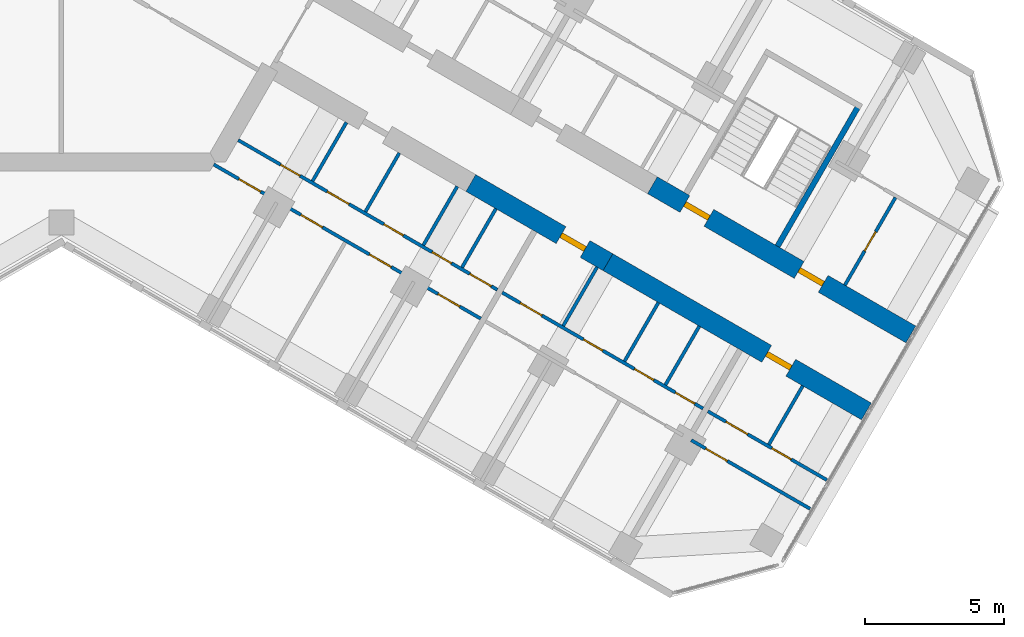
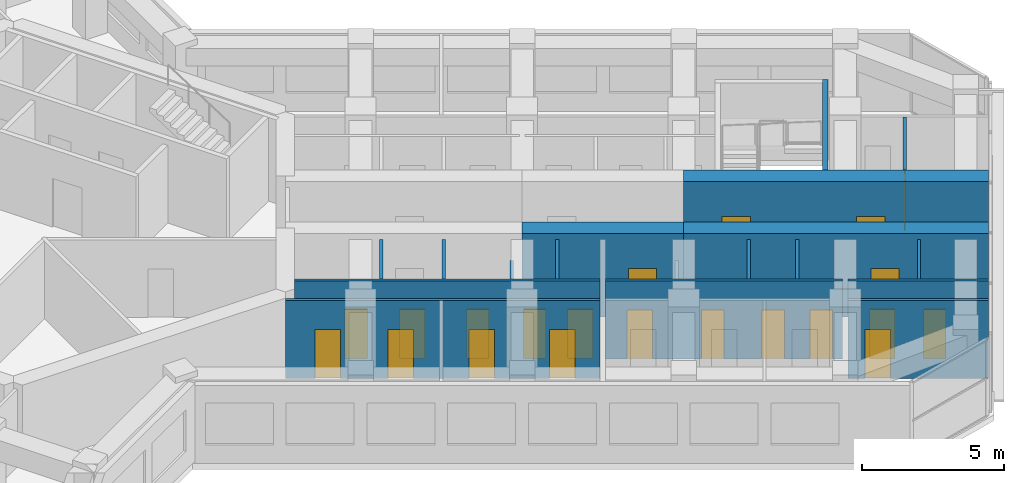
# One storey, part 11 of 16: 21 doors, 18 walls, 21 openings.
"""IFC4 building model written with IfcOpenShell, lengths in metres."""

from ifc_helpers import new_model, si_unit, direction, frame, frame_2d, origin, place, context, subcontext, project, spatial, rectangle, extrude, material, layer, layer_set, type_object, element, fill, save


model = new_model("IFC4")

# Units and contexts
model_context = context("Model", 3, precision=1e-05, world=origin(), true_north=direction((0.0, 1.0)))
body_context = subcontext(model_context, "Body", "Model", "MODEL_VIEW")
ifc_project = project(units=[si_unit("LENGTHUNIT", "METRE"), si_unit("AREAUNIT", "SQUARE_METRE"), si_unit("VOLUMEUNIT", "CUBIC_METRE"), si_unit("PLANEANGLEUNIT", "RADIAN"), si_unit("MASSUNIT", "GRAM", prefix="KILO")], contexts=[model_context])

# Site, building, storey
site_placement = place(None, origin())
site = spatial("IfcSite", under=ifc_project, at=site_placement, CompositionType="ELEMENT")
building_placement = place(site_placement, origin())
building = spatial("IfcBuilding", under=site, at=building_placement, Name="Kosmar Iwan School Tower", CompositionType="ELEMENT")
storey_placement = place(building_placement, frame((0.0, 0.0, 208.199951171875)))
storey = spatial("IfcBuildingStorey", under=building, at=storey_placement, Name="L52", CompositionType="ELEMENT", Elevation=208.199951171875)

# Wall, openings, doors
ifc_material_1 = material(Name="Concrete C50/60", Category="concrete")
ifc_layer_1 = layer(ifc_material_1, 0.699951171875)
ifc_layer_set_1 = layer_set([ifc_layer_1], Name="Corridor buttress wall 700")
wall_type_1 = type_object("IfcWallType", Name="Corridor buttress wall 700", PredefinedType="SHEAR", material=ifc_layer_set_1)
wall_1_placement = place(storey_placement, frame((21.281494140625, -10.439453125, 0.0), z_axis=(0.0, 0.0, 1.0), x_axis=(0.866032345022, -0.499987977232, 0.0)))
wall_1 = element("IfcWall", 1, at=wall_1_placement, inside=storey, type_object=wall_type_1, Name="Corridor wall CL bay 3", PredefinedType="SHEAR", context=body_context, shape_type="SweptSolid", body=[
    extrude(rectangle(XDim=10.744873046875, YDim=0.699951171875, at=frame_2d((5.37255859375, 0.0))), origin(), (0.0, 0.0, 1.0), 3.60009765625),
])
opening_1_placement = place(wall_1_placement, frame((6.10009765625, 0.0, 0.0)))
opening_1 = element("IfcOpeningElement", 2, at=opening_1_placement, cuts=wall_1, Name="Opening D1", PredefinedType="OPENING", context=body_context, shape_type="SweptSolid", body=[
    extrude(rectangle(XDim=1.0, YDim=2.10009765625, at=frame_2d((0.5, 1.050048828125))), frame((0.0, 0.362060546875, 0.0), z_axis=(0.0, -1.0, 0.0), x_axis=(1.0, 0.0, 0.0)), (0.0, 0.0, 1.0), 0.723876953125),
])
opening_2_placement = place(wall_1_placement, frame((1.35009765625, 0.0, 0.0)))
opening_2 = element("IfcOpeningElement", 3, at=opening_2_placement, cuts=wall_1, Name="Opening D6", PredefinedType="OPENING", context=body_context, shape_type="SweptSolid", body=[
    extrude(rectangle(XDim=1.0, YDim=2.10009765625, at=frame_2d((0.5, 1.050048828125))), frame((0.0, 0.362060546875, 0.0), z_axis=(0.0, -1.0, 0.0), x_axis=(1.0, 0.0, 0.0)), (0.0, 0.0, 1.0), 0.723876953125),
])
ifc_material_2 = material(Name="Timber fire door in steel frame", Category="steel")
door_type_1 = type_object("IfcDoorType", Name="Flat entrance door 1000x2100", OperationType="SINGLE_SWING_LEFT", PredefinedType="DOOR", material=ifc_material_2)
door_1_placement = place(opening_1_placement, origin())
door_1 = element("IfcDoor", 4, at=door_1_placement, inside=storey, type_object=door_type_1, Name="Flat L52-CL3 entrance door", OperationType="SINGLE_SWING_RIGHT", OverallHeight=2.10009765625, OverallWidth=1.0, PredefinedType="DOOR", context=body_context, shape_type="SweptSolid", body=[
    extrude(rectangle(XDim=1.0, YDim=2.10009765625, at=frame_2d((0.5, 1.050048828125))), frame((0.0, 0.10009765625, 0.0), z_axis=(0.0, -1.0, 0.0), x_axis=(1.0, 0.0, 0.0)), (0.0, 0.0, 1.0), 0.199951171875),
])
fill(opening_1, door_1)
ifc_material_3 = material(Name="Steel fire door", Category="steel")
door_type_2 = type_object("IfcDoorType", Name="Stair door 1000x2100", OperationType="SINGLE_SWING_LEFT", PredefinedType="DOOR", material=ifc_material_3)
door_2_placement = place(opening_2_placement, origin())
door_2 = element("IfcDoor", 5, at=door_2_placement, inside=storey, type_object=door_type_2, Name="Stair WS3 door L52", OperationType="SINGLE_SWING_LEFT", OverallHeight=2.10009765625, OverallWidth=1.0, PredefinedType="DOOR", context=body_context, shape_type="SweptSolid", body=[
    extrude(rectangle(XDim=1.0, YDim=2.10009765625, at=frame_2d((0.5, 1.050048828125))), frame((0.0, 0.10009765625, 0.0), z_axis=(0.0, -1.0, 0.0), x_axis=(1.0, 0.0, 0.0)), (0.0, 0.0, 1.0), 0.199951171875),
])
fill(opening_2, door_2)

# Wall, opening, door
wall_2_placement = place(storey_placement, frame((14.7451171875, -10.360595703125, 0.0), z_axis=(0.0, 0.0, 1.0), x_axis=(0.866015111908, -0.50001782563, 0.0)))
wall_2 = element("IfcWall", 6, at=wall_2_placement, inside=storey, type_object=wall_type_1, Name="Corridor wall CR bay 2", PredefinedType="SHEAR", context=body_context, shape_type="SweptSolid", body=[
    extrude(rectangle(XDim=5.699951171875, YDim=0.699951171875, at=frame_2d((2.85009765625, 0.0))), origin(), (0.0, 0.0, 1.0), 3.60009765625),
])
opening_3_placement = place(wall_2_placement, frame((3.75, 0.0, 0.0)))
opening_3 = element("IfcOpeningElement", 7, at=opening_3_placement, cuts=wall_2, Name="Opening D1", PredefinedType="OPENING", context=body_context, shape_type="SweptSolid", body=[
    extrude(rectangle(XDim=1.0, YDim=2.10009765625, at=frame_2d((0.5, 1.050048828125))), frame((0.0, 0.362060546875, 0.0), z_axis=(0.0, -1.0, 0.0), x_axis=(1.0, 0.0, 0.0)), (0.0, 0.0, 1.0), 0.723876953125),
])
door_3_placement = place(opening_3_placement, origin())
door_3 = element("IfcDoor", 8, at=door_3_placement, inside=storey, type_object=door_type_1, Name="Flat L52-CR2 entrance door", OperationType="SINGLE_SWING_RIGHT", OverallHeight=2.10009765625, OverallWidth=1.0, PredefinedType="DOOR", context=body_context, shape_type="SweptSolid", body=[
    extrude(rectangle(XDim=1.0, YDim=2.10009765625, at=frame_2d((0.5, 1.050048828125))), frame((0.0, 0.10009765625, 0.0), z_axis=(0.0, -1.0, 0.0), x_axis=(1.0, 0.0, 0.0)), (0.0, 0.0, 1.0), 0.199951171875),
])
fill(opening_3, door_3)

wall_3_placement = place(storey_placement, frame((19.681396484375, -13.210693359375, 0.0), z_axis=(0.0, 0.0, 1.0), x_axis=(0.866028186671, -0.499995179869, 0.0)))
wall_3 = element("IfcWall", 9, at=wall_3_placement, inside=storey, type_object=wall_type_1, Name="Corridor wall CR bay 3", PredefinedType="SHEAR", context=body_context, shape_type="SweptSolid", body=[
    extrude(rectangle(XDim=10.7451171875, YDim=0.699951171875, at=frame_2d((5.37255859375, 0.0))), origin(), (0.0, 0.0, 1.0), 3.60009765625),
])
opening_4_placement = place(wall_3_placement, frame((6.60009765625, 0.0, 0.0)))
opening_4 = element("IfcOpeningElement", 10, at=opening_4_placement, cuts=wall_3, Name="Opening D1", PredefinedType="OPENING", context=body_context, shape_type="SweptSolid", body=[
    extrude(rectangle(XDim=1.0, YDim=2.10009765625, at=frame_2d((0.5, 1.050048828125))), frame((0.0, 0.362060546875, 0.0), z_axis=(0.0, -1.0, 0.0), x_axis=(1.0, 0.0, 0.0)), (0.0, 0.0, 1.0), 0.723876953125),
])
door_4_placement = place(opening_4_placement, origin())
door_4 = element("IfcDoor", 11, at=door_4_placement, inside=storey, type_object=door_type_1, Name="Flat L52-CR3 entrance door", OperationType="SINGLE_SWING_RIGHT", OverallHeight=2.10009765625, OverallWidth=1.0, PredefinedType="DOOR", context=body_context, shape_type="SweptSolid", body=[
    extrude(rectangle(XDim=1.0, YDim=2.10009765625, at=frame_2d((0.5, 1.050048828125))), frame((0.0, 0.10009765625, 0.0), z_axis=(0.0, -1.0, 0.0), x_axis=(1.0, 0.0, 0.0)), (0.0, 0.0, 1.0), 0.199951171875),
])
fill(opening_4, door_4)

ifc_material_4 = material(Name="Gypsum board on steel studs", Category="steel")
ifc_layer_2 = layer(ifc_material_4, 0.1201171875)
ifc_layer_set_2 = layer_set([ifc_layer_2], Name="Dwelling partition 120")
wall_type_2 = type_object("IfcWallType", Name="Dwelling partition 120", PredefinedType="PARTITIONING", material=ifc_layer_set_2)
wall_4_placement = place(storey_placement, frame((28.21142578125, -14.036376953125, 0.0), z_axis=(0.0, 0.0, 1.0), x_axis=(0.499983701346, 0.866034813612, 0.0)))
wall_4 = element("IfcWall", 12, at=wall_4_placement, inside=storey, type_object=wall_type_2, Name="Partition L52-CL3-TY", PredefinedType="PARTITIONING", context=body_context, shape_type="SweptSolid", body=[
    extrude(rectangle(XDim=3.64013671875, YDim=0.1201171875, at=frame_2d((1.820068359375, 0.0))), origin(), (0.0, 0.0, 1.0), 3.35009765625),
])
opening_5_placement = place(wall_4_placement, frame((1.419921875, 0.0, 0.0)))
opening_5 = element("IfcOpeningElement", 13, at=opening_5_placement, cuts=wall_4, Name="Opening D3", PredefinedType="OPENING", context=body_context, shape_type="SweptSolid", body=[
    extrude(rectangle(XDim=0.800048828125, YDim=2.10009765625, at=frame_2d((0.39990234375, 1.050048828125))), frame((0.0, 0.072021484375, 0.0), z_axis=(0.0, -1.0, 0.0), x_axis=(1.0, 0.0, 0.0)), (0.0, 0.0, 1.0), 0.14404296875),
])
ifc_material_5 = material(Name="Timber door in timber frame", Category="wood")
door_type_3 = type_object("IfcDoorType", Name="Sanitary room door 800x2100", OperationType="SINGLE_SWING_LEFT", PredefinedType="DOOR", material=ifc_material_5)
door_5_placement = place(opening_5_placement, origin())
door_5 = element("IfcDoor", 14, at=door_5_placement, inside=storey, type_object=door_type_3, Name="Bathroom door L52-CL3-T4", OperationType="SINGLE_SWING_LEFT", OverallHeight=2.10009765625, OverallWidth=0.800048828125, PredefinedType="DOOR", context=body_context, shape_type="SweptSolid", body=[
    extrude(rectangle(XDim=0.800048828125, YDim=2.10009765625, at=frame_2d((0.39990234375, 1.050048828125))), frame((0.0, 0.02490234375, 0.0), z_axis=(0.0, -1.0, 0.0), x_axis=(1.0, 0.0, 0.0)), (0.0, 0.0, 1.0), 0.050048828125),
])
fill(opening_5, door_5)

# Wall, openings, doors
wall_5_placement = place(storey_placement, frame((6.370361328125, -8.81640625, 0.0), z_axis=(0.0, 0.0, 1.0), x_axis=(0.86602446816, -0.500001620546, 0.0)))
wall_5 = element("IfcWall", 15, at=wall_5_placement, inside=storey, type_object=wall_type_2, Name="Partition L52-CR1-W1", PredefinedType="PARTITIONING", context=body_context, shape_type="SweptSolid", body=[
    extrude(rectangle(XDim=10.77490234375, YDim=0.1201171875, at=frame_2d((5.387451171875, 0.0))), origin(), (0.0, 0.0, 1.0), 3.35009765625),
])
opening_6_placement = place(wall_5_placement, frame((1.764892578125, 0.0, 0.0)))
opening_6 = element("IfcOpeningElement", 16, at=opening_6_placement, cuts=wall_5, Name="Opening D3", PredefinedType="OPENING", context=body_context, shape_type="SweptSolid", body=[
    extrude(rectangle(XDim=0.800048828125, YDim=2.10009765625, at=frame_2d((0.39990234375, 1.050048828125))), frame((0.0, 0.072021484375, 0.0), z_axis=(0.0, -1.0, 0.0), x_axis=(1.0, 0.0, 0.0)), (0.0, 0.0, 1.0), 0.14404296875),
])
opening_7_placement = place(wall_5_placement, frame((3.705078125, 0.0, 0.0)))
opening_7 = element("IfcOpeningElement", 17, at=opening_7_placement, cuts=wall_5, Name="Opening D2", PredefinedType="OPENING", context=body_context, shape_type="SweptSolid", body=[
    extrude(rectangle(XDim=0.89990234375, YDim=2.10009765625, at=frame_2d((0.449951171875, 1.050048828125))), frame((0.0, 0.072021484375, 0.0), z_axis=(0.0, -1.0, 0.0), x_axis=(1.0, 0.0, 0.0)), (0.0, 0.0, 1.0), 0.14404296875),
])
opening_8_placement = place(wall_5_placement, frame((6.059326171875, 0.0, 0.0)))
opening_8 = element("IfcOpeningElement", 18, at=opening_8_placement, cuts=wall_5, Name="Opening D3", PredefinedType="OPENING", context=body_context, shape_type="SweptSolid", body=[
    extrude(rectangle(XDim=0.800048828125, YDim=2.10009765625, at=frame_2d((0.39990234375, 1.050048828125))), frame((0.0, 0.072021484375, 0.0), z_axis=(0.0, -1.0, 0.0), x_axis=(1.0, 0.0, 0.0)), (0.0, 0.0, 1.0), 0.14404296875),
])
opening_9_placement = place(wall_5_placement, frame((8.06640625, 0.0, 0.0)))
opening_9 = element("IfcOpeningElement", 19, at=opening_9_placement, cuts=wall_5, Name="Opening D3", PredefinedType="OPENING", context=body_context, shape_type="SweptSolid", body=[
    extrude(rectangle(XDim=0.800048828125, YDim=2.10009765625, at=frame_2d((0.39990234375, 1.050048828125))), frame((0.0, 0.072021484375, 0.0), z_axis=(0.0, -1.0, 0.0), x_axis=(1.0, 0.0, 0.0)), (0.0, 0.0, 1.0), 0.14404296875),
])
opening_10_placement = place(wall_5_placement, frame((9.6220703125, 0.0, 0.0)))
opening_10 = element("IfcOpeningElement", 20, at=opening_10_placement, cuts=wall_5, Name="Opening D2", PredefinedType="OPENING", context=body_context, shape_type="SweptSolid", body=[
    extrude(rectangle(XDim=0.89990234375, YDim=2.10009765625, at=frame_2d((0.449951171875, 1.050048828125))), frame((0.0, 0.072021484375, 0.0), z_axis=(0.0, -1.0, 0.0), x_axis=(1.0, 0.0, 0.0)), (0.0, 0.0, 1.0), 0.14404296875),
])
ifc_material_6 = material(Name="Timber door in timber frame", Category="wood")
door_type_4 = type_object("IfcDoorType", Name="Internal door 900x2100", OperationType="SINGLE_SWING_LEFT", PredefinedType="DOOR", material=ifc_material_6)
door_6_placement = place(opening_7_placement, origin())
door_6 = element("IfcDoor", 21, at=door_6_placement, inside=storey, type_object=door_type_4, Name="Entrance hall door L52-CR1-S2", OperationType="SINGLE_SWING_RIGHT", OverallHeight=2.10009765625, OverallWidth=0.89990234375, PredefinedType="DOOR", context=body_context, shape_type="SweptSolid", body=[
    extrude(rectangle(XDim=0.89990234375, YDim=2.10009765625, at=frame_2d((0.449951171875, 1.050048828125))), frame((0.0, 0.02490234375, 0.0), z_axis=(0.0, -1.0, 0.0), x_axis=(1.0, 0.0, 0.0)), (0.0, 0.0, 1.0), 0.050048828125),
])
fill(opening_7, door_6)
door_7_placement = place(opening_10_placement, origin())
door_7 = element("IfcDoor", 22, at=door_7_placement, inside=storey, type_object=door_type_4, Name="Pantry door L52-CR1-S5", OperationType="SINGLE_SWING_RIGHT", OverallHeight=2.10009765625, OverallWidth=0.89990234375, PredefinedType="DOOR", context=body_context, shape_type="SweptSolid", body=[
    extrude(rectangle(XDim=0.89990234375, YDim=2.10009765625, at=frame_2d((0.449951171875, 1.050048828125))), frame((0.0, 0.02490234375, 0.0), z_axis=(0.0, -1.0, 0.0), x_axis=(1.0, 0.0, 0.0)), (0.0, 0.0, 1.0), 0.050048828125),
])
fill(opening_10, door_7)
door_8_placement = place(opening_6_placement, origin())
door_8 = element("IfcDoor", 23, at=door_8_placement, inside=storey, type_object=door_type_3, Name="Shower room door L52-CR1-S1", OperationType="SINGLE_SWING_RIGHT", OverallHeight=2.10009765625, OverallWidth=0.800048828125, PredefinedType="DOOR", context=body_context, shape_type="SweptSolid", body=[
    extrude(rectangle(XDim=0.800048828125, YDim=2.10009765625, at=frame_2d((0.39990234375, 1.050048828125))), frame((0.0, 0.02490234375, 0.0), z_axis=(0.0, -1.0, 0.0), x_axis=(1.0, 0.0, 0.0)), (0.0, 0.0, 1.0), 0.050048828125),
])
fill(opening_6, door_8)
door_9_placement = place(opening_8_placement, origin())
door_9 = element("IfcDoor", 24, at=door_9_placement, inside=storey, type_object=door_type_3, Name="Bathroom door L52-CR1-S3", OperationType="SINGLE_SWING_LEFT", OverallHeight=2.10009765625, OverallWidth=0.800048828125, PredefinedType="DOOR", context=body_context, shape_type="SweptSolid", body=[
    extrude(rectangle(XDim=0.800048828125, YDim=2.10009765625, at=frame_2d((0.39990234375, 1.050048828125))), frame((0.0, 0.02490234375, 0.0), z_axis=(0.0, -1.0, 0.0), x_axis=(1.0, 0.0, 0.0)), (0.0, 0.0, 1.0), 0.050048828125),
])
fill(opening_8, door_9)
door_10_placement = place(opening_9_placement, origin())
door_10 = element("IfcDoor", 25, at=door_10_placement, inside=storey, type_object=door_type_3, Name="Grandparents' shower room door L52-CR1-S4", OperationType="SINGLE_SWING_RIGHT", OverallHeight=2.10009765625, OverallWidth=0.800048828125, PredefinedType="DOOR", context=body_context, shape_type="SweptSolid", body=[
    extrude(rectangle(XDim=0.800048828125, YDim=2.10009765625, at=frame_2d((0.39990234375, 1.050048828125))), frame((0.0, 0.02490234375, 0.0), z_axis=(0.0, -1.0, 0.0), x_axis=(1.0, 0.0, 0.0)), (0.0, 0.0, 1.0), 0.050048828125),
])
fill(opening_9, door_10)

wall_6_placement = place(storey_placement, frame((5.48876953125, -9.693115234375, 0.0), z_axis=(0.0, 0.0, 1.0), x_axis=(0.866026992824, -0.499997247692, 0.0)))
wall_6 = element("IfcWall", 26, at=wall_6_placement, inside=storey, type_object=wall_type_2, Name="Partition L52-CR1-W2", PredefinedType="PARTITIONING", context=body_context, shape_type="SweptSolid", body=[
    extrude(rectangle(XDim=11.10009765625, YDim=0.1201171875, at=frame_2d((5.550048828125, 0.0))), origin(), (0.0, 0.0, 1.0), 3.35009765625),
])
opening_11_placement = place(wall_6_placement, frame((1.050048828125, 0.0, 0.0)))
opening_11 = element("IfcOpeningElement", 27, at=opening_11_placement, cuts=wall_6, Name="Opening D2", PredefinedType="OPENING", context=body_context, shape_type="SweptSolid", body=[
    extrude(rectangle(XDim=0.89990234375, YDim=2.10009765625, at=frame_2d((0.449951171875, 1.050048828125))), frame((0.0, 0.072021484375, 0.0), z_axis=(0.0, -1.0, 0.0), x_axis=(1.0, 0.0, 0.0)), (0.0, 0.0, 1.0), 0.14404296875),
])
opening_12_placement = place(wall_6_placement, frame((3.625, 0.0, 0.0)))
opening_12 = element("IfcOpeningElement", 28, at=opening_12_placement, cuts=wall_6, Name="Opening D2", PredefinedType="OPENING", context=body_context, shape_type="SweptSolid", body=[
    extrude(rectangle(XDim=0.89990234375, YDim=2.10009765625, at=frame_2d((0.449951171875, 1.050048828125))), frame((0.0, 0.072021484375, 0.0), z_axis=(0.0, -1.0, 0.0), x_axis=(1.0, 0.0, 0.0)), (0.0, 0.0, 1.0), 0.14404296875),
])
opening_13_placement = place(wall_6_placement, frame((6.47509765625, 0.0, 0.0)))
opening_13 = element("IfcOpeningElement", 29, at=opening_13_placement, cuts=wall_6, Name="Opening D2", PredefinedType="OPENING", context=body_context, shape_type="SweptSolid", body=[
    extrude(rectangle(XDim=0.89990234375, YDim=2.10009765625, at=frame_2d((0.449951171875, 1.050048828125))), frame((0.0, 0.072021484375, 0.0), z_axis=(0.0, -1.0, 0.0), x_axis=(1.0, 0.0, 0.0)), (0.0, 0.0, 1.0), 0.14404296875),
])
opening_14_placement = place(wall_6_placement, frame((9.324951171875, 0.0, 0.0)))
opening_14 = element("IfcOpeningElement", 30, at=opening_14_placement, cuts=wall_6, Name="Opening D2", PredefinedType="OPENING", context=body_context, shape_type="SweptSolid", body=[
    extrude(rectangle(XDim=0.89990234375, YDim=2.10009765625, at=frame_2d((0.449951171875, 1.050048828125))), frame((0.0, 0.072021484375, 0.0), z_axis=(0.0, -1.0, 0.0), x_axis=(1.0, 0.0, 0.0)), (0.0, 0.0, 1.0), 0.14404296875),
])
door_11_placement = place(opening_11_placement, origin())
door_11 = element("IfcDoor", 31, at=door_11_placement, inside=storey, type_object=door_type_4, Name="Living room and kitchen door L52-CR1-F1", OperationType="SINGLE_SWING_LEFT", OverallHeight=2.10009765625, OverallWidth=0.89990234375, PredefinedType="DOOR", context=body_context, shape_type="SweptSolid", body=[
    extrude(rectangle(XDim=0.89990234375, YDim=2.10009765625, at=frame_2d((0.449951171875, 1.050048828125))), frame((0.0, 0.02490234375, 0.0), z_axis=(0.0, -1.0, 0.0), x_axis=(1.0, 0.0, 0.0)), (0.0, 0.0, 1.0), 0.050048828125),
])
fill(opening_11, door_11)
door_12_placement = place(opening_12_placement, origin())
door_12 = element("IfcDoor", 32, at=door_12_placement, inside=storey, type_object=door_type_4, Name="Study door L52-CR1-F2", OperationType="SINGLE_SWING_LEFT", OverallHeight=2.10009765625, OverallWidth=0.89990234375, PredefinedType="DOOR", context=body_context, shape_type="SweptSolid", body=[
    extrude(rectangle(XDim=0.89990234375, YDim=2.10009765625, at=frame_2d((0.449951171875, 1.050048828125))), frame((0.0, 0.02490234375, 0.0), z_axis=(0.0, -1.0, 0.0), x_axis=(1.0, 0.0, 0.0)), (0.0, 0.0, 1.0), 0.050048828125),
])
fill(opening_12, door_12)
door_13_placement = place(opening_13_placement, origin())
door_13 = element("IfcDoor", 33, at=door_13_placement, inside=storey, type_object=door_type_4, Name="Bedroom 1 door L52-CR1-F3", OperationType="SINGLE_SWING_RIGHT", OverallHeight=2.10009765625, OverallWidth=0.89990234375, PredefinedType="DOOR", context=body_context, shape_type="SweptSolid", body=[
    extrude(rectangle(XDim=0.89990234375, YDim=2.10009765625, at=frame_2d((0.449951171875, 1.050048828125))), frame((0.0, 0.02490234375, 0.0), z_axis=(0.0, -1.0, 0.0), x_axis=(1.0, 0.0, 0.0)), (0.0, 0.0, 1.0), 0.050048828125),
])
fill(opening_13, door_13)
door_14_placement = place(opening_14_placement, origin())
door_14 = element("IfcDoor", 34, at=door_14_placement, inside=storey, type_object=door_type_4, Name="Grandparents' suite door L52-CR1-F4", OperationType="SINGLE_SWING_RIGHT", OverallHeight=2.10009765625, OverallWidth=0.89990234375, PredefinedType="DOOR", context=body_context, shape_type="SweptSolid", body=[
    extrude(rectangle(XDim=0.89990234375, YDim=2.10009765625, at=frame_2d((0.449951171875, 1.050048828125))), frame((0.0, 0.02490234375, 0.0), z_axis=(0.0, -1.0, 0.0), x_axis=(1.0, 0.0, 0.0)), (0.0, 0.0, 1.0), 0.050048828125),
])
fill(opening_14, door_14)

# Walls
for number, where, z_axis, x_axis, name in (
    (35, (10.26611328125, -8.1787109375, 0.0), (0.0, 0.0, 1.0), (-0.500077547548, -0.865980627057, 0.0), "Partition L52-CR1-Y1"),
    (36, (12.17138671875, -9.27880859375, 0.0), (0.0, 0.0, 1.0), (-0.500077547548, -0.865980627057, 0.0), "Partition L52-CR1-Y2"),
):
    element("IfcWall", number, at=place(storey_placement, frame(where, z_axis=z_axis, x_axis=x_axis)), inside=storey, type_object=wall_type_2, Name=name, PredefinedType="PARTITIONING", context=body_context, shape_type="SweptSolid", body=[
        extrude(rectangle(XDim=2.43994140625, YDim=0.1201171875, at=frame_2d((1.219970703125, 0.0))), origin(), (0.0, 0.0, 1.0), 3.35009765625),
    ])
wall_7_placement = place(storey_placement, frame((14.257080078125, -10.48291015625, 0.0), z_axis=(0.0, 0.0, 1.0), x_axis=(-0.499959183527, -0.866048967903, 0.0)))
element("IfcWall", 37, at=wall_7_placement, inside=storey, type_object=wall_type_2, Name="Partition L52-CR1-Y3", PredefinedType="PARTITIONING", context=body_context, shape_type="SweptSolid", body=[
    extrude(rectangle(XDim=2.440185546875, YDim=0.1201171875, at=frame_2d((1.22021484375, 0.0))), origin(), (0.0, 0.0, 1.0), 2.449951171875),
])
wall_8_placement = place(storey_placement, frame((15.647705078125, -11.285888671875, 0.0), z_axis=(0.0, 0.0, 1.0), x_axis=(-0.500002508028, -0.866023955769, 0.0)))
element("IfcWall", 38, at=wall_8_placement, inside=storey, type_object=wall_type_2, Name="Partition L52-CR1-Y4", PredefinedType="PARTITIONING", context=body_context, shape_type="SweptSolid", body=[
    extrude(rectangle(XDim=2.43994140625, YDim=0.1201171875, at=frame_2d((1.219970703125, 0.0))), origin(), (0.0, 0.0, 1.0), 3.35009765625),
])

# Wall, openings, doors
wall_9_placement = place(storey_placement, frame((15.875, -14.3037109375, 0.0), z_axis=(0.0, 0.0, 1.0), x_axis=(0.866019549707, -0.500010139422, 0.0)))
wall_9 = element("IfcWall", 39, at=wall_9_placement, inside=storey, type_object=wall_type_2, Name="Partition L52-CR2-W1", PredefinedType="PARTITIONING", context=body_context, shape_type="SweptSolid", body=[
    extrude(rectangle(XDim=8.349853515625, YDim=0.1201171875, at=frame_2d((4.1748046875, 0.0))), origin(), (0.0, 0.0, 1.0), 3.35009765625),
])
opening_15_placement = place(wall_9_placement, frame((0.75, 0.0, 0.0)))
opening_15 = element("IfcOpeningElement", 40, at=opening_15_placement, cuts=wall_9, Name="Opening D2", PredefinedType="OPENING", context=body_context, shape_type="SweptSolid", body=[
    extrude(rectangle(XDim=0.89990234375, YDim=2.10009765625, at=frame_2d((0.449951171875, 1.050048828125))), frame((0.0, 0.072021484375, 0.0), z_axis=(0.0, -1.0, 0.0), x_axis=(1.0, 0.0, 0.0)), (0.0, 0.0, 1.0), 0.14404296875),
])
opening_16_placement = place(wall_9_placement, frame((3.375, 0.0, 0.0)))
opening_16 = element("IfcOpeningElement", 41, at=opening_16_placement, cuts=wall_9, Name="Opening D3", PredefinedType="OPENING", context=body_context, shape_type="SweptSolid", body=[
    extrude(rectangle(XDim=0.800048828125, YDim=2.10009765625, at=frame_2d((0.39990234375, 1.050048828125))), frame((0.0, 0.072021484375, 0.0), z_axis=(0.0, -1.0, 0.0), x_axis=(1.0, 0.0, 0.0)), (0.0, 0.0, 1.0), 0.14404296875),
])
opening_17_placement = place(wall_9_placement, frame((5.5, 0.0, 0.0)))
opening_17 = element("IfcOpeningElement", 42, at=opening_17_placement, cuts=wall_9, Name="Opening D3", PredefinedType="OPENING", context=body_context, shape_type="SweptSolid", body=[
    extrude(rectangle(XDim=0.800048828125, YDim=2.10009765625, at=frame_2d((0.39990234375, 1.050048828125))), frame((0.0, 0.072021484375, 0.0), z_axis=(0.0, -1.0, 0.0), x_axis=(1.0, 0.0, 0.0)), (0.0, 0.0, 1.0), 0.14404296875),
])
opening_18_placement = place(wall_9_placement, frame((7.199951171875, 0.0, 0.0)))
opening_18 = element("IfcOpeningElement", 43, at=opening_18_placement, cuts=wall_9, Name="Opening D3", PredefinedType="OPENING", context=body_context, shape_type="SweptSolid", body=[
    extrude(rectangle(XDim=0.800048828125, YDim=2.10009765625, at=frame_2d((0.39990234375, 1.050048828125))), frame((0.0, 0.072021484375, 0.0), z_axis=(0.0, -1.0, 0.0), x_axis=(1.0, 0.0, 0.0)), (0.0, 0.0, 1.0), 0.14404296875),
])
door_15_placement = place(opening_15_placement, origin())
door_15 = element("IfcDoor", 44, at=door_15_placement, inside=storey, type_object=door_type_4, Name="Entrance hall door L52-CR2-S1", OperationType="SINGLE_SWING_LEFT", OverallHeight=2.10009765625, OverallWidth=0.89990234375, PredefinedType="DOOR", context=body_context, shape_type="SweptSolid", body=[
    extrude(rectangle(XDim=0.89990234375, YDim=2.10009765625, at=frame_2d((0.449951171875, 1.050048828125))), frame((0.0, 0.02490234375, 0.0), z_axis=(0.0, -1.0, 0.0), x_axis=(1.0, 0.0, 0.0)), (0.0, 0.0, 1.0), 0.050048828125),
])
fill(opening_15, door_15)
door_16_placement = place(opening_16_placement, origin())
door_16 = element("IfcDoor", 45, at=door_16_placement, inside=storey, type_object=door_type_3, Name="Bathroom door L52-CR2-S2", OperationType="SINGLE_SWING_RIGHT", OverallHeight=2.10009765625, OverallWidth=0.800048828125, PredefinedType="DOOR", context=body_context, shape_type="SweptSolid", body=[
    extrude(rectangle(XDim=0.800048828125, YDim=2.10009765625, at=frame_2d((0.39990234375, 1.050048828125))), frame((0.0, 0.02490234375, 0.0), z_axis=(0.0, -1.0, 0.0), x_axis=(1.0, 0.0, 0.0)), (0.0, 0.0, 1.0), 0.050048828125),
])
fill(opening_16, door_16)
door_17_placement = place(opening_17_placement, origin())
door_17 = element("IfcDoor", 46, at=door_17_placement, inside=storey, type_object=door_type_3, Name="Grandparents' shower room door L52-CR2-S3", OperationType="SINGLE_SWING_LEFT", OverallHeight=2.10009765625, OverallWidth=0.800048828125, PredefinedType="DOOR", context=body_context, shape_type="SweptSolid", body=[
    extrude(rectangle(XDim=0.800048828125, YDim=2.10009765625, at=frame_2d((0.39990234375, 1.050048828125))), frame((0.0, 0.02490234375, 0.0), z_axis=(0.0, -1.0, 0.0), x_axis=(1.0, 0.0, 0.0)), (0.0, 0.0, 1.0), 0.050048828125),
])
fill(opening_17, door_17)
door_18_placement = place(opening_18_placement, origin())
door_18 = element("IfcDoor", 47, at=door_18_placement, inside=storey, type_object=door_type_3, Name="Shower room door L52-CR2-S4", OperationType="SINGLE_SWING_RIGHT", OverallHeight=2.10009765625, OverallWidth=0.800048828125, PredefinedType="DOOR", context=body_context, shape_type="SweptSolid", body=[
    extrude(rectangle(XDim=0.800048828125, YDim=2.10009765625, at=frame_2d((0.39990234375, 1.050048828125))), frame((0.0, 0.02490234375, 0.0), z_axis=(0.0, -1.0, 0.0), x_axis=(1.0, 0.0, 0.0)), (0.0, 0.0, 1.0), 0.050048828125),
])
fill(opening_18, door_18)

# Walls
wall_10_placement = place(storey_placement, frame((19.2900390625, -13.388671875, 0.0), z_axis=(0.0, 0.0, 1.0), x_axis=(-0.499959183527, -0.866048967903, 0.0)))
element("IfcWall", 48, at=wall_10_placement, inside=storey, type_object=wall_type_2, Name="Partition L52-CR2-Y1", PredefinedType="PARTITIONING", context=body_context, shape_type="SweptSolid", body=[
    extrude(rectangle(XDim=2.440185546875, YDim=0.1201171875, at=frame_2d((1.22021484375, 0.0))), origin(), (0.0, 0.0, 1.0), 2.449951171875),
])
wall_11_placement = place(storey_placement, frame((21.498291015625, -14.663818359375, 0.0), z_axis=(0.0, 0.0, 1.0), x_axis=(-0.500002508028, -0.866023955769, 0.0)))
element("IfcWall", 49, at=wall_11_placement, inside=storey, type_object=wall_type_2, Name="Partition L52-CR2-Y2", PredefinedType="PARTITIONING", context=body_context, shape_type="SweptSolid", body=[
    extrude(rectangle(XDim=2.43994140625, YDim=0.1201171875, at=frame_2d((1.219970703125, 0.0))), origin(), (0.0, 0.0, 1.0), 3.35009765625),
])
wall_12_placement = place(storey_placement, frame((22.970703125, -15.513671875, 0.0), z_axis=(0.0, 0.0, 1.0), x_axis=(-0.500034220881, -0.866005645448, 0.0)))
element("IfcWall", 50, at=wall_12_placement, inside=storey, type_object=wall_type_2, Name="Partition L52-CR2-Y3", PredefinedType="PARTITIONING", context=body_context, shape_type="SweptSolid", body=[
    extrude(rectangle(XDim=2.440185546875, YDim=0.1201171875, at=frame_2d((1.22021484375, 0.0))), origin(), (0.0, 0.0, 1.0), 3.35009765625),
])

# Wall, openings, doors
wall_13_placement = place(storey_placement, frame((23.279541015625, -18.578857421875, 0.0), z_axis=(0.0, 0.0, 1.0), x_axis=(0.866031840221, -0.4999888516, 0.0)))
wall_13 = element("IfcWall", 51, at=wall_13_placement, inside=storey, type_object=wall_type_2, Name="Partition L52-CR3-W1", PredefinedType="PARTITIONING", context=body_context, shape_type="SweptSolid", body=[
    extrude(rectangle(XDim=4.94482421875, YDim=0.1201171875, at=frame_2d((2.472412109375, 0.0))), origin(), (0.0, 0.0, 1.0), 3.35009765625),
])
opening_19_placement = place(wall_13_placement, frame((0.75, 0.0, 0.0)))
opening_19 = element("IfcOpeningElement", 52, at=opening_19_placement, cuts=wall_13, Name="Opening D2", PredefinedType="OPENING", context=body_context, shape_type="SweptSolid", body=[
    extrude(rectangle(XDim=0.89990234375, YDim=2.10009765625, at=frame_2d((0.449951171875, 1.050048828125))), frame((0.0, 0.072021484375, 0.0), z_axis=(0.0, -1.0, 0.0), x_axis=(1.0, 0.0, 0.0)), (0.0, 0.0, 1.0), 0.14404296875),
])
opening_20_placement = place(wall_13_placement, frame((2.659912109375, 0.0, 0.0)))
opening_20 = element("IfcOpeningElement", 53, at=opening_20_placement, cuts=wall_13, Name="Opening D3", PredefinedType="OPENING", context=body_context, shape_type="SweptSolid", body=[
    extrude(rectangle(XDim=0.800048828125, YDim=2.10009765625, at=frame_2d((0.39990234375, 1.050048828125))), frame((0.0, 0.072021484375, 0.0), z_axis=(0.0, -1.0, 0.0), x_axis=(1.0, 0.0, 0.0)), (0.0, 0.0, 1.0), 0.14404296875),
])
door_19_placement = place(opening_19_placement, origin())
door_19 = element("IfcDoor", 54, at=door_19_placement, inside=storey, type_object=door_type_4, Name="Entrance hall door L52-CR3-S1", OperationType="SINGLE_SWING_RIGHT", OverallHeight=2.10009765625, OverallWidth=0.89990234375, PredefinedType="DOOR", context=body_context, shape_type="SweptSolid", body=[
    extrude(rectangle(XDim=0.89990234375, YDim=2.10009765625, at=frame_2d((0.449951171875, 1.050048828125))), frame((0.0, 0.02490234375, 0.0), z_axis=(0.0, -1.0, 0.0), x_axis=(1.0, 0.0, 0.0)), (0.0, 0.0, 1.0), 0.050048828125),
])
fill(opening_19, door_19)
door_20_placement = place(opening_20_placement, origin())
door_20 = element("IfcDoor", 55, at=door_20_placement, inside=storey, type_object=door_type_3, Name="Bathroom door L52-CR3-S2", OperationType="SINGLE_SWING_LEFT", OverallHeight=2.10009765625, OverallWidth=0.800048828125, PredefinedType="DOOR", context=body_context, shape_type="SweptSolid", body=[
    extrude(rectangle(XDim=0.800048828125, YDim=2.10009765625, at=frame_2d((0.39990234375, 1.050048828125))), frame((0.0, 0.02490234375, 0.0), z_axis=(0.0, -1.0, 0.0), x_axis=(1.0, 0.0, 0.0)), (0.0, 0.0, 1.0), 0.050048828125),
])
fill(opening_20, door_20)

# Wall, opening, door
wall_14_placement = place(storey_placement, frame((22.679443359375, -19.6181640625, 0.0), z_axis=(0.0, 0.0, 1.0), x_axis=(0.866031840221, -0.4999888516, 0.0)))
wall_14 = element("IfcWall", 56, at=wall_14_placement, inside=storey, type_object=wall_type_2, Name="Partition L52-CR3-W2", PredefinedType="PARTITIONING", context=body_context, shape_type="SweptSolid", body=[
    extrude(rectangle(XDim=4.94482421875, YDim=0.1201171875, at=frame_2d((2.472412109375, 0.0))), origin(), (0.0, 0.0, 1.0), 3.35009765625),
])
opening_21_placement = place(wall_14_placement, frame((0.60009765625, 0.0, 0.0)))
opening_21 = element("IfcOpeningElement", 57, at=opening_21_placement, cuts=wall_14, Name="Opening D2", PredefinedType="OPENING", context=body_context, shape_type="SweptSolid", body=[
    extrude(rectangle(XDim=0.89990234375, YDim=2.10009765625, at=frame_2d((0.449951171875, 1.050048828125))), frame((0.0, 0.072021484375, 0.0), z_axis=(0.0, -1.0, 0.0), x_axis=(1.0, 0.0, 0.0)), (0.0, 0.0, 1.0), 0.14404296875),
])
door_21_placement = place(opening_21_placement, origin())
door_21 = element("IfcDoor", 58, at=door_21_placement, inside=storey, type_object=door_type_4, Name="Studio living room and kitchen door L52-CR3-F1", OperationType="SINGLE_SWING_LEFT", OverallHeight=2.10009765625, OverallWidth=0.89990234375, PredefinedType="DOOR", context=body_context, shape_type="SweptSolid", body=[
    extrude(rectangle(XDim=0.89990234375, YDim=2.10009765625, at=frame_2d((0.449951171875, 1.050048828125))), frame((0.0, 0.02490234375, 0.0), z_axis=(0.0, -1.0, 0.0), x_axis=(1.0, 0.0, 0.0)), (0.0, 0.0, 1.0), 0.050048828125),
])
fill(opening_21, door_21)

# Walls
wall_15_placement = place(storey_placement, frame((26.694580078125, -17.663818359375, 0.0), z_axis=(0.0, 0.0, 1.0), x_axis=(-0.500002508028, -0.866023955769, 0.0)))
element("IfcWall", 59, at=wall_15_placement, inside=storey, type_object=wall_type_2, Name="Partition L52-CR3-Y1", PredefinedType="PARTITIONING", context=body_context, shape_type="SweptSolid", body=[
    extrude(rectangle(XDim=2.43994140625, YDim=0.1201171875, at=frame_2d((1.219970703125, 0.0))), origin(), (0.0, 0.0, 1.0), 3.35009765625),
])
ifc_material_7 = material(Name="Concrete C35/45", Category="concrete")
ifc_layer_3 = layer(ifc_material_7, 0.199951171875)
ifc_layer_set_3 = layer_set([ifc_layer_3], Name="Escape stair wall 200")
wall_type_3 = type_object("IfcWallType", Name="Escape stair wall 200", PredefinedType="SHEAR", material=ifc_layer_set_3)
wall_16_placement = place(storey_placement, frame((25.78662109375, -12.63623046875, 0.0), z_axis=(0.0, 0.0, 1.0), x_axis=(0.500013701029, 0.866017493347, 0.0)))
element("IfcWall", 60, at=wall_16_placement, inside=storey, type_object=wall_type_3, Name="Stair WS3 wall", PredefinedType="SHEAR", context=body_context, shape_type="SweptSolid", body=[
    extrude(rectangle(XDim=5.949951171875, YDim=0.199951171875, at=frame_2d((2.97509765625, 0.0))), origin(), (0.0, 0.0, 1.0), 3.330078125),
])

save(model, "model.ifc")
